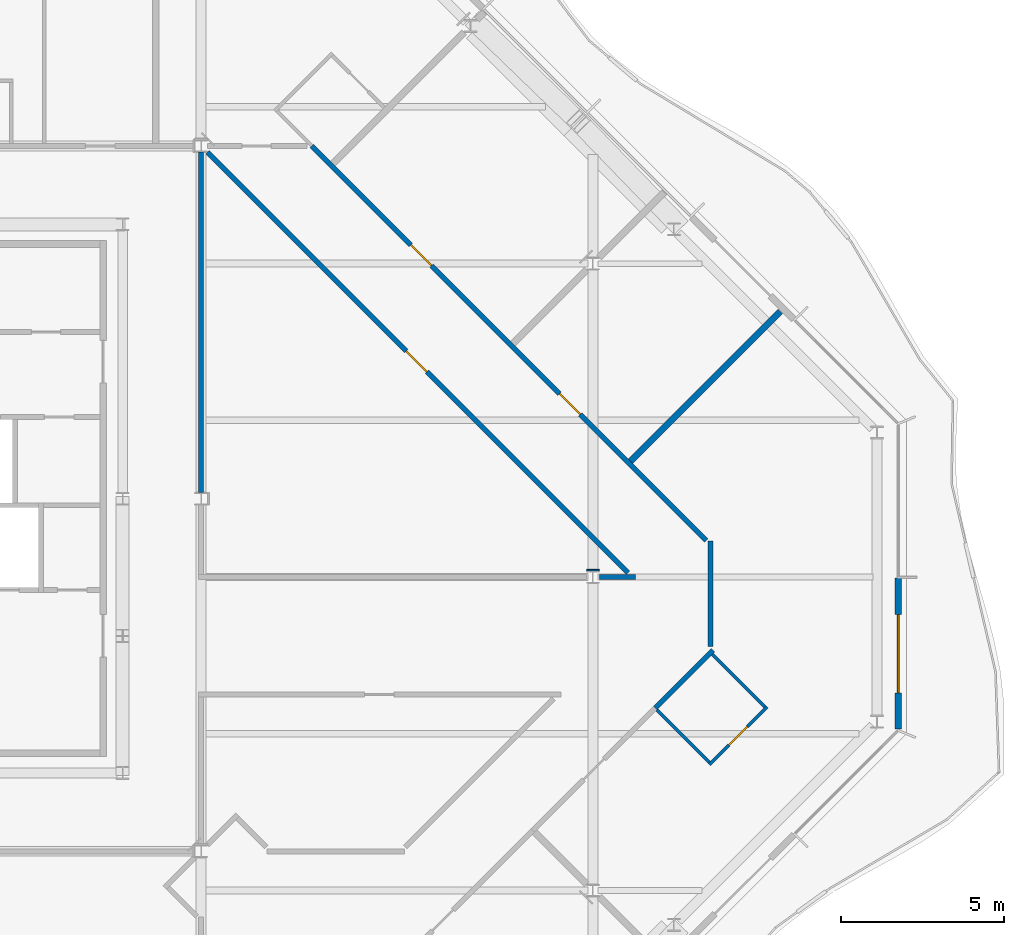
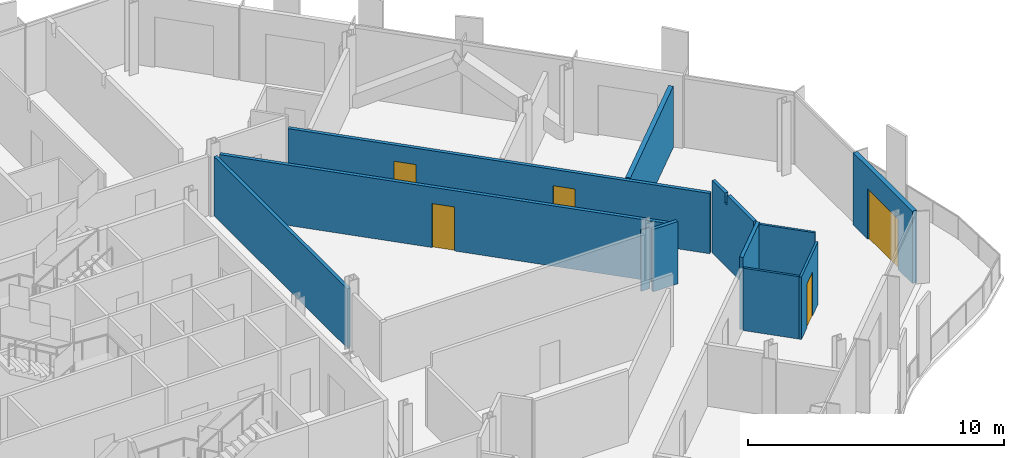
# One storey, part 10 of 17: 12 walls, 5 doors, 5 openings.
"""IFC4 building model written with IfcOpenShell, lengths in metres."""

from ifc_helpers import new_model, si_unit, direction, frame, frame_2d, origin, place, context, subcontext, project, spatial, polyline, rectangle, outline, extrude, material, layer, layer_set, type_object, element, fill, save


model = new_model("IFC4")

# Units and contexts
model_context = context("Model", 3, precision=1e-05, world=origin(), true_north=direction((0.0, 1.0)))
body_context = subcontext(model_context, "Body", "Model", "MODEL_VIEW")
ifc_project = project(units=[si_unit("LENGTHUNIT", "METRE"), si_unit("AREAUNIT", "SQUARE_METRE"), si_unit("VOLUMEUNIT", "CUBIC_METRE"), si_unit("PLANEANGLEUNIT", "RADIAN"), si_unit("MASSUNIT", "GRAM", prefix="KILO")], contexts=[model_context])

# Site, building, storey
site_placement = place(None, origin())
site = spatial("IfcSite", under=ifc_project, at=site_placement, CompositionType="ELEMENT")
building_placement = place(site_placement, origin())
building = spatial("IfcBuilding", under=site, at=building_placement, Name="Cairn Pilgrim Tower", CompositionType="ELEMENT")
storey_placement = place(building_placement, frame((0.0, 0.0, 270.60009765625)))
storey = spatial("IfcBuildingStorey", under=building, at=storey_placement, Name="L69", CompositionType="ELEMENT", Elevation=270.60009765625)

# Wall, opening, door
ifc_material_1 = material(Name="Bronze anodised aluminium insulated sandwich panel with mineral wool fill", Category="aluminium")
ifc_layer_1 = layer(ifc_material_1, 0.199951171875)
ifc_layer_set_1 = layer_set([ifc_layer_1], Name="BRONZE INFILL FRAME WALL 200")
wall_type_1 = type_object("IfcWallType", Name="BRONZE INFILL FRAME WALL 200", PredefinedType="NOTDEFINED", material=ifc_layer_set_1)
wall_1_placement = place(storey_placement, frame((40.550048828125, -4.656494140625, 0.0), z_axis=(0.0, 0.0, 1.0), x_axis=(0.0, 1.0, 0.0)))
wall_1 = element("IfcWall", 1, at=wall_1_placement, inside=storey, type_object=wall_type_1, Name="Bronze infill frame wall IW-E1", PredefinedType="NOTDEFINED", context=body_context, shape_type="SweptSolid", body=[
    extrude(rectangle(XDim=4.62646484375, YDim=0.199951171875, at=frame_2d((2.313232421875, 0.0))), origin(), (0.0, 0.0, 1.0), 3.449951171875),
])
opening_1_placement = place(wall_1_placement, frame((1.1083984375, 0.0, 0.0)))
opening_1 = element("IfcOpeningElement", 2, at=opening_1_placement, cuts=wall_1, Name="Opening 6903B2", PredefinedType="OPENING", context=body_context, shape_type="SweptSolid", body=[
    extrude(rectangle(XDim=2.39990234375, YDim=2.39990234375, at=frame_2d((1.199951171875, 1.199951171875))), frame((0.0, 0.10986328125, 0.0), z_axis=(0.0, -1.0, 0.0), x_axis=(1.0, 0.0, 0.0)), (0.0, 0.0, 1.0), 0.219970703125),
])
ifc_material_2 = material(Name="Bronze anodised aluminium frame with tinted low-E glass", Category="aluminium")
door_type_1 = type_object("IfcDoorType", Name="BALCONY SLIDING DOOR 2400x2400", OperationType="DOUBLE_DOOR_SLIDING", PredefinedType="DOOR", material=ifc_material_2)
door_1_placement = place(opening_1_placement, origin())
door_1 = element("IfcDoor", 3, at=door_1_placement, inside=storey, type_object=door_type_1, Name="Balcony sliding door 6903B2", OperationType="SINGLE_SWING_LEFT", OverallHeight=2.39990234375, OverallWidth=2.39990234375, PredefinedType="DOOR", context=body_context, shape_type="SweptSolid", body=[
    extrude(rectangle(XDim=2.39990234375, YDim=2.39990234375, at=frame_2d((1.199951171875, 1.199951171875))), frame((0.0, 0.02490234375, 0.0), z_axis=(0.0, -1.0, 0.0), x_axis=(1.0, 0.0, 0.0)), (0.0, 0.0, 1.0), 0.050048828125),
])
fill(opening_1, door_1)

# Wall
ifc_material_3 = material(Name="Gypsum partition")
ifc_layer_2 = layer(ifc_material_3, 0.10009765625)
ifc_layer_set_2 = layer_set([ifc_layer_2], Name="PARTITION 100 DRYWALL")
wall_type_2 = type_object("IfcWallType", Name="PARTITION 100 DRYWALL", PredefinedType="PARTITIONING", material=ifc_layer_set_2)
wall_2_placement = place(storey_placement, frame((34.7646484375, -5.673583984375, 0.0), z_axis=(0.0, 0.0, 1.0), x_axis=(-0.707106781187, 0.707106781187, 0.0)))
element("IfcWall", 4, at=wall_2_placement, inside=storey, type_object=wall_type_2, Name="PARTITION W043", PredefinedType="PARTITIONING", context=body_context, shape_type="SweptSolid", body=[
    extrude(rectangle(XDim=2.27490234375, YDim=0.10009765625, at=frame_2d((1.137451171875, 0.0))), origin(), (0.0, 0.0, 1.0), 2.97998046875),
])

# Wall, opening, door
wall_3_placement = place(storey_placement, frame((34.7646484375, -5.744384765625, 0.0), z_axis=(0.0, 0.0, 1.0), x_axis=(0.707106781187, 0.707106781187, 0.0)))
wall_3 = element("IfcWall", 5, at=wall_3_placement, inside=storey, type_object=wall_type_2, Name="PARTITION W044", PredefinedType="PARTITIONING", context=body_context, shape_type="SweptSolid", body=[
    extrude(rectangle(XDim=2.499755859375, YDim=0.10009765625, at=frame_2d((1.25, 0.0))), origin(), (0.0, 0.0, 1.0), 2.97998046875),
])
opening_2_placement = place(wall_3_placement, frame((0.85009765625, 0.0, 0.0)))
opening_2 = element("IfcOpeningElement", 6, at=opening_2_placement, cuts=wall_3, Name="Opening 6903A", PredefinedType="OPENING", context=body_context, shape_type="SweptSolid", body=[
    extrude(rectangle(XDim=0.800048828125, YDim=2.10009765625, at=frame_2d((0.39990234375, 1.050048828125))), frame((0.0, 0.06005859375, 0.0), z_axis=(0.0, -1.0, 0.0), x_axis=(1.0, 0.0, 0.0)), (0.0, 0.0, 1.0), 0.1201171875),
])
ifc_material_4 = material(Name="Timber door leaf", Category="wood")
door_type_2 = type_object("IfcDoorType", Name="WC DOOR 800x2100", OperationType="NOTDEFINED", PredefinedType="DOOR", material=ifc_material_4)
door_2_placement = place(opening_2_placement, frame((0.800048828125, 0.0, 0.0), z_axis=(0.0, 0.0, 1.0), x_axis=(-1.0, 0.0, 0.0)))
door_2 = element("IfcDoor", 7, at=door_2_placement, inside=storey, type_object=door_type_2, Name="DOOR 6903A", OperationType="SINGLE_SWING_RIGHT", OverallHeight=2.10009765625, OverallWidth=0.800048828125, PredefinedType="DOOR", context=body_context, shape_type="SweptSolid", body=[
    extrude(rectangle(XDim=0.800048828125, YDim=2.10009765625, at=frame_2d((0.39990234375, 1.050048828125))), frame((0.0, 0.02490234375, 0.0), z_axis=(0.0, -1.0, 0.0), x_axis=(1.0, 0.0, 0.0)), (0.0, 0.0, 1.0), 0.050048828125),
])
fill(opening_2, door_2)

# Walls
wall_4_placement = place(storey_placement, frame((36.461669921875, -3.9765625, 0.0), z_axis=(0.0, 0.0, 1.0), x_axis=(-0.707106781187, 0.707106781187, 0.0)))
element("IfcWall", 8, at=wall_4_placement, inside=storey, type_object=wall_type_2, Name="PARTITION W046", PredefinedType="PARTITIONING", context=body_context, shape_type="SweptSolid", body=[
    extrude(rectangle(XDim=2.27490234375, YDim=0.10009765625, at=frame_2d((1.137451171875, 0.0))), origin(), (0.0, 0.0, 1.0), 3.449951171875),
])
ifc_layer_3 = layer(ifc_material_3, 0.14990234375)
ifc_layer_set_3 = layer_set([ifc_layer_3], Name="PARTITION 150 DRYWALL EI 60")
wall_type_3 = type_object("IfcWallType", Name="PARTITION 150 DRYWALL EI 60", PredefinedType="PARTITIONING", material=ifc_layer_set_3)
wall_5_placement = place(storey_placement, frame((33.10302734375, -4.011962890625, 0.0), z_axis=(0.0, 0.0, 1.0), x_axis=(0.707106781187, 0.707106781187, 0.0)))
element("IfcWall", 9, at=wall_5_placement, inside=storey, type_object=wall_type_3, Name="PARTITION W045", PredefinedType="PARTITIONING", context=body_context, shape_type="SweptSolid", body=[
    extrude(rectangle(XDim=2.505859375, YDim=0.14990234375, at=frame_2d((1.2529296875, 0.0))), origin(), (0.0, 0.0, 1.0), 3.449951171875),
])
wall_6_placement = place(storey_placement, frame((34.800048828125, -2.1337890625, 0.0), z_axis=(0.0, 0.0, 1.0), x_axis=(0.0, 1.0, 0.0)))
element("IfcWall", 10, at=wall_6_placement, inside=storey, type_object=wall_type_3, Name="PARTITION W048", PredefinedType="PARTITIONING", context=body_context, shape_type="SweptSolid", body=[
    extrude(outline(polyline([(0.0, 0.0), (3.23388671875, 0.0), (3.23388671875, 3.449951171875), (2.22900390625, 3.449951171875), (2.226806640625, 2.97998046875), (2.038818359375, 2.97998046875), (2.036865234375, 3.449951171875), (0.0, 3.449951171875), (0.0, 0.0)])), frame((0.0, 0.074951171875, 0.0), z_axis=(0.0, -1.0, 0.0), x_axis=(1.0, 0.0, 0.0)), (0.0, 0.0, 1.0), 0.14990234375),
])
wall_7_placement = place(storey_placement, frame((31.39697265625, 0.0, 0.0), z_axis=(0.0, 0.0, 1.0), x_axis=(1.0, 0.0, 0.0)))
element("IfcWall", 11, at=wall_7_placement, inside=storey, type_object=wall_type_3, Name="PARTITION W050", PredefinedType="PARTITIONING", context=body_context, shape_type="SweptSolid", body=[
    extrude(rectangle(XDim=1.109130859375, YDim=0.14990234375, at=frame_2d((0.5546875, 0.0))), origin(), (0.0, 0.0, 1.0), 2.97998046875),
])

# Wall, opening, door
wall_8_placement = place(storey_placement, frame((32.27197265625, 0.1279296875, 0.0), z_axis=(0.0, 0.0, 1.0), x_axis=(-0.707106781187, 0.707106781187, 0.0)))
wall_8 = element("IfcWall", 12, at=wall_8_placement, inside=storey, type_object=wall_type_3, Name="PARTITION W052", PredefinedType="PARTITIONING", context=body_context, shape_type="SweptSolid", body=[
    extrude(rectangle(XDim=18.21484375, YDim=0.14990234375, at=frame_2d((9.107421875, 0.0))), origin(), (0.0, 0.0, 1.0), 2.8798828125),
])
opening_3_placement = place(wall_8_placement, frame((8.702880859375, 0.0, 0.0)))
opening_3 = element("IfcOpeningElement", 13, at=opening_3_placement, cuts=wall_8, Name="Opening 6915", PredefinedType="OPENING", context=body_context, shape_type="SweptSolid", body=[
    extrude(rectangle(XDim=0.89990234375, YDim=2.10009765625, at=frame_2d((0.449951171875, 1.050048828125))), frame((0.0, 0.0849609375, 0.0), z_axis=(0.0, -1.0, 0.0), x_axis=(1.0, 0.0, 0.0)), (0.0, 0.0, 1.0), 0.169921875),
])
door_type_3 = type_object("IfcDoorType", Name="SERVICE DOOR 900x2100 FD30S", OperationType="NOTDEFINED", PredefinedType="DOOR", material=ifc_material_4)
door_3_placement = place(opening_3_placement, origin())
door_3 = element("IfcDoor", 14, at=door_3_placement, inside=storey, type_object=door_type_3, Name="DOOR 6915", OperationType="SINGLE_SWING_LEFT", OverallHeight=2.10009765625, OverallWidth=0.89990234375, PredefinedType="DOOR", context=body_context, shape_type="SweptSolid", body=[
    extrude(rectangle(XDim=0.89990234375, YDim=2.10009765625, at=frame_2d((0.449951171875, 1.050048828125))), frame((0.0, 0.02490234375, 0.0), z_axis=(0.0, -1.0, 0.0), x_axis=(1.0, 0.0, 0.0)), (0.0, 0.0, 1.0), 0.050048828125),
])
fill(opening_3, door_3)

# Wall, openings, doors
wall_9_placement = place(storey_placement, frame((34.672119140625, 1.1220703125, 0.0), z_axis=(0.0, 0.0, 1.0), x_axis=(-0.707113927758, 0.707099634543, 0.0)))
wall_9 = element("IfcWall", 15, at=wall_9_placement, inside=storey, type_object=wall_type_3, Name="PARTITION W053", PredefinedType="PARTITIONING", context=body_context, shape_type="SweptSolid", body=[
    extrude(rectangle(XDim=17.080810546875, YDim=0.14990234375, at=frame_2d((8.54052734375, 0.0))), origin(), (0.0, 0.0, 1.0), 2.8798828125),
])
opening_4_placement = place(wall_9_placement, frame((5.453857421875, 0.0, 0.0)))
opening_4 = element("IfcOpeningElement", 16, at=opening_4_placement, cuts=wall_9, Name="Opening 6904", PredefinedType="OPENING", context=body_context, shape_type="SweptSolid", body=[
    extrude(rectangle(XDim=0.89990234375, YDim=2.10009765625, at=frame_2d((0.449951171875, 1.050048828125))), frame((0.0, 0.0849609375, 0.0), z_axis=(0.0, -1.0, 0.0), x_axis=(1.0, 0.0, 0.0)), (0.0, 0.0, 1.0), 0.169921875),
])
opening_5_placement = place(wall_9_placement, frame((11.89697265625, 0.0, 0.0)))
opening_5 = element("IfcOpeningElement", 17, at=opening_5_placement, cuts=wall_9, Name="Opening 6905", PredefinedType="OPENING", context=body_context, shape_type="SweptSolid", body=[
    extrude(rectangle(XDim=0.89990234375, YDim=2.10009765625, at=frame_2d((0.449951171875, 1.050048828125))), frame((0.0, 0.0849609375, 0.0), z_axis=(0.0, -1.0, 0.0), x_axis=(1.0, 0.0, 0.0)), (0.0, 0.0, 1.0), 0.169921875),
])
door_4_placement = place(opening_4_placement, frame((0.89990234375, 0.0, 0.0), z_axis=(0.0, 0.0, 1.0), x_axis=(-1.0, 0.0, 0.0)))
door_4 = element("IfcDoor", 18, at=door_4_placement, inside=storey, type_object=door_type_3, Name="DOOR 6904", OperationType="SINGLE_SWING_RIGHT", OverallHeight=2.10009765625, OverallWidth=0.89990234375, PredefinedType="DOOR", context=body_context, shape_type="SweptSolid", body=[
    extrude(rectangle(XDim=0.89990234375, YDim=2.10009765625, at=frame_2d((0.449951171875, 1.050048828125))), frame((0.0, 0.02490234375, 0.0), z_axis=(0.0, -1.0, 0.0), x_axis=(1.0, 0.0, 0.0)), (0.0, 0.0, 1.0), 0.050048828125),
])
fill(opening_4, door_4)
door_5_placement = place(opening_5_placement, frame((0.89990234375, 0.0, 0.0), z_axis=(0.0, 0.0, 1.0), x_axis=(-1.0, 0.0, 0.0)))
door_5 = element("IfcDoor", 19, at=door_5_placement, inside=storey, type_object=door_type_3, Name="DOOR 6905", OperationType="SINGLE_SWING_RIGHT", OverallHeight=2.10009765625, OverallWidth=0.89990234375, PredefinedType="DOOR", context=body_context, shape_type="SweptSolid", body=[
    extrude(rectangle(XDim=0.89990234375, YDim=2.10009765625, at=frame_2d((0.449951171875, 1.050048828125))), frame((0.0, 0.02490234375, 0.0), z_axis=(0.0, -1.0, 0.0), x_axis=(1.0, 0.0, 0.0)), (0.0, 0.0, 1.0), 0.050048828125),
])
fill(opening_5, door_5)

# Walls
wall_10_placement = place(storey_placement, frame((19.199951171875, 2.58740234375, 0.0), z_axis=(0.0, 0.0, 1.0), x_axis=(0.0, 1.0, 0.0)))
element("IfcWall", 20, at=wall_10_placement, inside=storey, type_object=wall_type_3, Name="PARTITION W055", PredefinedType="PARTITIONING", context=body_context, shape_type="SweptSolid", body=[
    extrude(rectangle(XDim=10.425048828125, YDim=0.14990234375, at=frame_2d((5.21240234375, 0.0))), origin(), (0.0, 0.0, 1.0), 2.829833984375),
])
ifc_layer_4 = layer(ifc_material_3, 0.050048828125)
ifc_layer_set_4 = layer_set([ifc_layer_4], Name="PARTITION 50 DRYWALL EI 60")
wall_type_4 = type_object("IfcWallType", Name="PARTITION 50 DRYWALL EI 60", PredefinedType="PARTITIONING", material=ifc_layer_set_4)
wall_11_placement = place(storey_placement, frame((31.0029296875, 0.21240234375, 0.0), z_axis=(0.0, 0.0, 1.0), x_axis=(1.0, 0.0, 0.0)))
element("IfcWall", 21, at=wall_11_placement, inside=storey, type_object=wall_type_4, Name="COLUMN CASING WC13", PredefinedType="PARTITIONING", context=body_context, shape_type="SweptSolid", body=[
    extrude(rectangle(XDim=0.39404296875, YDim=0.050048828125, at=frame_2d((0.197021484375, 0.0))), origin(), (0.0, 0.0, 1.0), 2.929931640625),
])
ifc_layer_5 = layer(ifc_material_3, 0.199951171875)
ifc_layer_set_5 = layer_set([ifc_layer_5], Name="SHAFT WALL 200 GYPSUM EI 60")
wall_type_5 = type_object("IfcWallType", Name="SHAFT WALL 200 GYPSUM EI 60", PredefinedType="PARTITIONING", material=ifc_layer_set_5)
wall_12_placement = place(storey_placement, frame((32.35107421875, 3.549072265625, 0.0), z_axis=(0.0, 0.0, 1.0), x_axis=(0.707106781187, 0.707106781187, 0.0)))
element("IfcWall", 22, at=wall_12_placement, inside=storey, type_object=wall_type_5, Name="PARTITION W056", PredefinedType="PARTITIONING", context=body_context, shape_type="SweptSolid", body=[
    extrude(rectangle(XDim=6.47900390625, YDim=0.199951171875, at=frame_2d((3.239501953125, 0.0))), origin(), (0.0, 0.0, 1.0), 2.929931640625),
])

save(model, "model.ifc")
